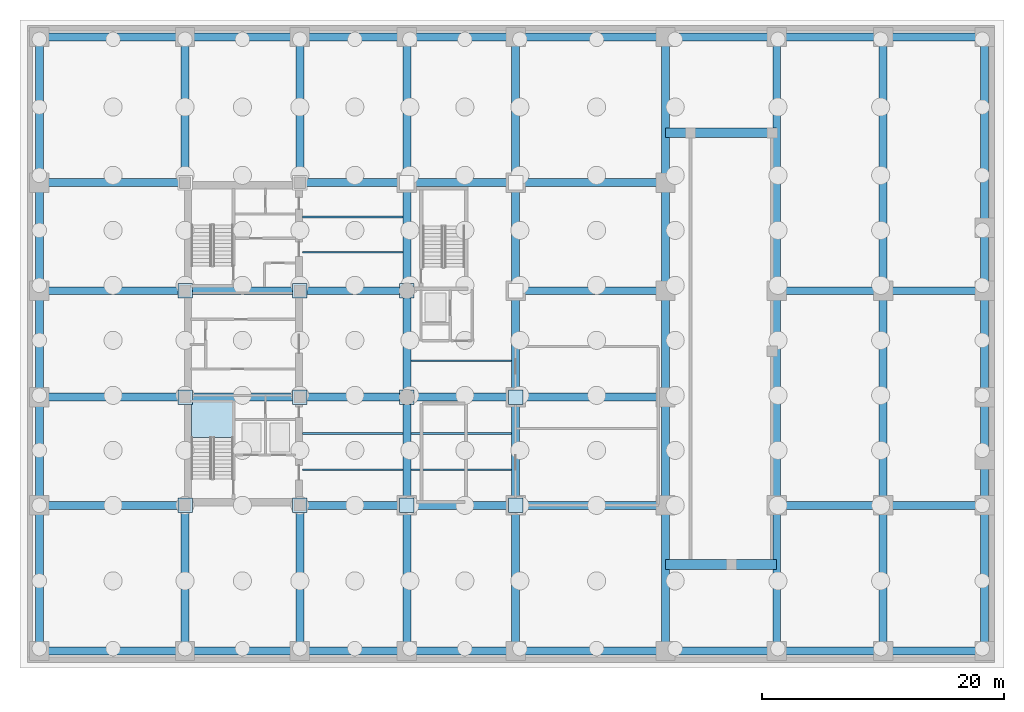
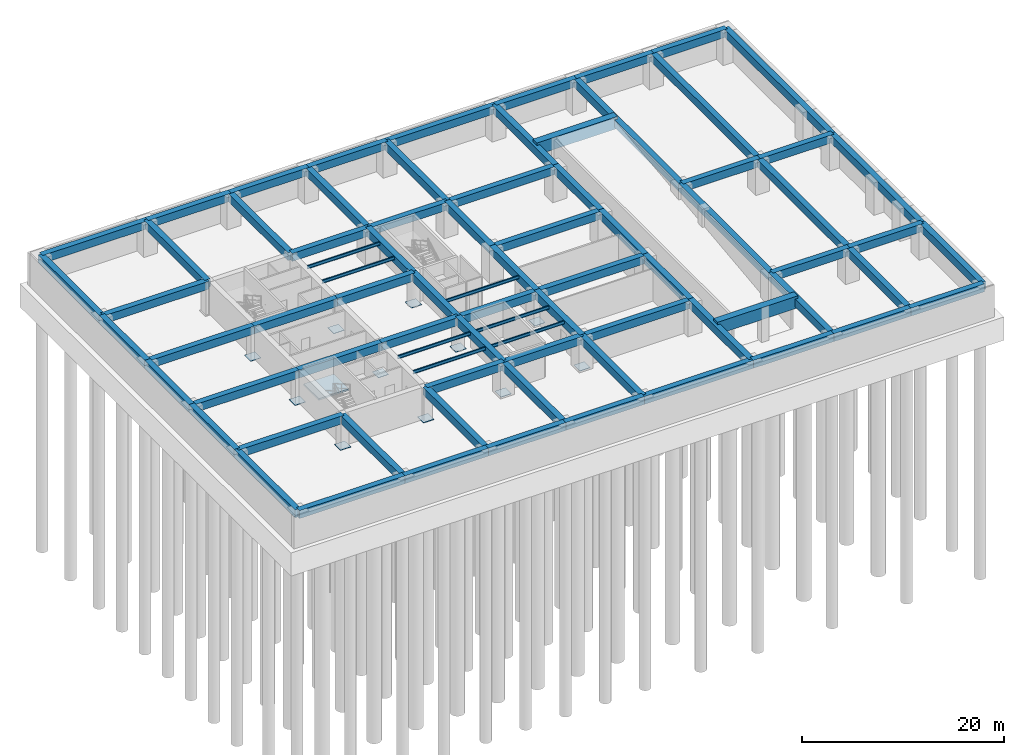
# One storey, part 2 of 9: 79 beams, 11 plates, 1 slab, 1 element without a shape of its own.
"""IFC4 building model written with IfcOpenShell, lengths in metres."""

from ifc_helpers import new_model, si_unit, direction, frame, origin, origin_2d, place, context, subcontext, project, spatial, polyline, rectangle, i_section, outline, extrude, material, layer, layer_set, material_profile, profile_set, type_object, element, aggregate, save


model = new_model("IFC4")

# Units and contexts
model_context = context("Model", 3, precision=1e-05, world=origin(), true_north=direction((0.0, 1.0)))
body_context = subcontext(model_context, "Body", "Model", "MODEL_VIEW")
ifc_project = project(units=[si_unit("LENGTHUNIT", "METRE"), si_unit("AREAUNIT", "SQUARE_METRE"), si_unit("VOLUMEUNIT", "CUBIC_METRE"), si_unit("PLANEANGLEUNIT", "RADIAN"), si_unit("MASSUNIT", "GRAM", prefix="KILO")], contexts=[model_context])

# Site, building, storey
site_placement = place(None, origin())
site = spatial("IfcSite", under=ifc_project, at=site_placement, CompositionType="ELEMENT")
building_placement = place(site_placement, origin())
building = spatial("IfcBuilding", under=site, at=building_placement, Name="Kundavana Baori Tower", CompositionType="ELEMENT")
storey_placement = place(building_placement, frame((0.0, 0.0, -8.39990234375)))
storey = spatial("IfcBuildingStorey", under=building, at=storey_placement, Name="B02", CompositionType="ELEMENT", Elevation=-8.39990234375)

# Beams
ifc_material_1 = material(Name="Structural Steel S355JR", Category="steel")
ifc_material_profile_1 = material_profile(ifc_material_1, i_section(OverallWidth=0.139892578125, OverallDepth=0.39990234375, WebThickness=0.0087890625, FlangeThickness=0.01611328125, FilletRadius=0.013916015625, at=origin_2d()), Name="ISMB 400")
ifc_profile_set_1 = profile_set([ifc_material_profile_1], Name="Structural Steel S355JR")
beam_type_1 = type_object("IfcBeamType", Name="BM-JST-400", PredefinedType="JOIST", material=ifc_profile_set_1)
for number, where, z_axis, x_axis, name in (
    (1, (25.179931640625, 18.199951171875, 3.699951171875), (1.0, 0.0, 0.0), (0.0, 1.0, 0.0), "B02 Central Bay Composite Floor Joist C1"),
    (2, (25.179931640625, 21.199951171875, 3.699951171875), (1.0, 0.0, 0.0), (0.0, 1.0, 0.0), "B02 Central Bay Composite Floor Joist C2"),
    (3, (25.179931640625, 36.199951171875, 3.699951171875), (1.0, 0.0, 0.0), (0.0, 1.0, 0.0), "B02 Central Bay Composite Floor Joist C3"),
    (4, (25.179931640625, 39.10009765625, 3.699951171875), (1.0, 0.0, 0.0), (0.0, 1.0, 0.0), "B02 Central Bay Composite Floor Joist C4"),
):
    element("IfcBeam", number, at=place(storey_placement, frame(where, z_axis=z_axis, x_axis=x_axis)), inside=storey, type_object=beam_type_1, Name=name, PredefinedType="JOIST", context=body_context, shape_type="SweptSolid", body=[
        extrude(i_section(OverallWidth=0.139892578125, OverallDepth=0.39990234375, WebThickness=0.0087890625, FlangeThickness=0.01611328125, FilletRadius=0.013916015625, at=origin_2d()), origin(), (0.0, 0.0, 1.0), 8.295166015625),
    ])
for number, where, z_axis, x_axis, name in (
    (5, (34.125, 18.199951171875, 3.699951171875), (1.0, 0.0, 0.0), (0.0, 1.0, 0.0), "B02 East Bay Composite Floor Joist E1"),
    (6, (34.125, 21.199951171875, 3.699951171875), (1.0, 0.0, 0.0), (0.0, 1.0, 0.0), "B02 East Bay Composite Floor Joist E2"),
    (7, (34.125, 27.199951171875, 3.699951171875), (1.0, 0.0, 0.0), (0.0, 1.0, 0.0), "B02 East Bay Composite Floor Joist E3"),
):
    element("IfcBeam", number, at=place(storey_placement, frame(where, z_axis=z_axis, x_axis=x_axis)), inside=storey, type_object=beam_type_1, Name=name, PredefinedType="JOIST", context=body_context, shape_type="SweptSolid", body=[
        extrude(i_section(OverallWidth=0.139892578125, OverallDepth=0.39990234375, WebThickness=0.0087890625, FlangeThickness=0.01611328125, FilletRadius=0.013916015625, at=origin_2d()), origin(), (0.0, 0.0, 1.0), 8.35009765625),
    ])
ifc_material_2 = material(Name="Concrete C50/60", Category="concrete")
ifc_material_profile_2 = material_profile(ifc_material_2, rectangle(XDim=0.64990234375, YDim=0.949951171875, at=origin_2d()), Name="RC BM 650x950")
ifc_profile_set_2 = profile_set([ifc_material_profile_2], Name="Concrete C50/60")
beam_type_2 = type_object("IfcBeamType", Name="BM-RC-950", PredefinedType="BEAM", material=ifc_profile_set_2)
beam_1_placement = place(storey_placement, frame((24.949951171875, 15.25, 3.4248046875), z_axis=(1.0, 0.0, 0.0), x_axis=(0.0, 1.0, 0.0)))
element("IfcBeam", 8, at=beam_1_placement, inside=storey, type_object=beam_type_2, Name="B02 Primary Grid Girder GX-1-2", PredefinedType="BEAM", context=body_context, shape_type="SweptSolid", body=[
    extrude(rectangle(XDim=0.64990234375, YDim=0.949951171875, at=origin_2d()), origin(), (0.0, 0.0, 1.0), 8.85009765625),
])
beam_2_placement = place(storey_placement, frame((33.800048828125, 15.25, 3.4248046875), z_axis=(1.0, 0.0, 0.0), x_axis=(0.0, 1.0, 0.0)))
element("IfcBeam", 9, at=beam_2_placement, inside=storey, type_object=beam_type_2, Name="B02 Primary Grid Girder GX-1-3", PredefinedType="BEAM", context=body_context, shape_type="SweptSolid", body=[
    extrude(rectangle(XDim=0.64990234375, YDim=0.949951171875, at=origin_2d()), origin(), (0.0, 0.0, 1.0), 9.0),
])
beam_3_placement = place(storey_placement, frame((15.449951171875, 24.199951171875, 3.4248046875), z_axis=(1.0, 0.0, 0.0), x_axis=(0.0, 1.0, 0.0)))
element("IfcBeam", 10, at=beam_3_placement, inside=storey, type_object=beam_type_2, Name="B02 Primary Grid Girder GX-2-1", PredefinedType="BEAM", context=body_context, shape_type="SweptSolid", body=[
    extrude(rectangle(XDim=0.64990234375, YDim=0.949951171875, at=origin_2d()), origin(), (0.0, 0.0, 1.0), 9.5),
])
beam_4_placement = place(storey_placement, frame((24.949951171875, 24.199951171875, 3.4248046875), z_axis=(1.0, 0.0, 0.0), x_axis=(0.0, 1.0, 0.0)))
element("IfcBeam", 11, at=beam_4_placement, inside=storey, type_object=beam_type_2, Name="B02 Primary Grid Girder GX-2-2", PredefinedType="BEAM", context=body_context, shape_type="SweptSolid", body=[
    extrude(rectangle(XDim=0.64990234375, YDim=0.949951171875, at=origin_2d()), origin(), (0.0, 0.0, 1.0), 8.85009765625),
])
beam_5_placement = place(storey_placement, frame((33.800048828125, 24.199951171875, 3.4248046875), z_axis=(1.0, 0.0, 0.0), x_axis=(0.0, 1.0, 0.0)))
element("IfcBeam", 12, at=beam_5_placement, inside=storey, type_object=beam_type_2, Name="B02 Primary Grid Girder GX-2-3", PredefinedType="BEAM", context=body_context, shape_type="SweptSolid", body=[
    extrude(rectangle(XDim=0.64990234375, YDim=0.949951171875, at=origin_2d()), origin(), (0.0, 0.0, 1.0), 9.0),
])
beam_6_placement = place(storey_placement, frame((15.449951171875, 33.0, 3.4248046875), z_axis=(1.0, 0.0, 0.0), x_axis=(0.0, 1.0, 0.0)))
element("IfcBeam", 13, at=beam_6_placement, inside=storey, type_object=beam_type_2, Name="B02 Primary Grid Girder GX-3-1", PredefinedType="BEAM", context=body_context, shape_type="SweptSolid", body=[
    extrude(rectangle(XDim=0.64990234375, YDim=0.949951171875, at=origin_2d()), origin(), (0.0, 0.0, 1.0), 9.5),
])
for number, where, z_axis, x_axis, name in (
    (14, (24.949951171875, 33.0, 3.4248046875), (1.0, 0.0, 0.0), (0.0, 1.0, 0.0), "B02 Primary Grid Girder GX-3-2"),
    (15, (24.949951171875, 41.949951171875, 3.4248046875), (1.0, 0.0, 0.0), (0.0, 1.0, 0.0), "B02 Primary Grid Girder GX-4-2"),
):
    element("IfcBeam", number, at=place(storey_placement, frame(where, z_axis=z_axis, x_axis=x_axis)), inside=storey, type_object=beam_type_2, Name=name, PredefinedType="BEAM", context=body_context, shape_type="SweptSolid", body=[
        extrude(rectangle(XDim=0.64990234375, YDim=0.949951171875, at=origin_2d()), origin(), (0.0, 0.0, 1.0), 8.85009765625),
    ])
beam_7_placement = place(storey_placement, frame((33.800048828125, 41.949951171875, 3.4248046875), z_axis=(1.0, 0.0, 0.0), x_axis=(0.0, 1.0, 0.0)))
element("IfcBeam", 16, at=beam_7_placement, inside=storey, type_object=beam_type_2, Name="B02 Primary Grid Girder GX-4-3", PredefinedType="BEAM", context=body_context, shape_type="SweptSolid", body=[
    extrude(rectangle(XDim=0.64990234375, YDim=0.949951171875, at=origin_2d()), origin(), (0.0, 0.0, 1.0), 9.0),
])
beam_8_placement = place(storey_placement, frame((33.800048828125, 15.25, 3.4248046875), z_axis=(0.0, 1.0, 0.0), x_axis=(-1.0, 0.0, 0.0)))
element("IfcBeam", 17, at=beam_8_placement, inside=storey, type_object=beam_type_2, Name="B02 Primary Grid Girder GY-3-1", PredefinedType="BEAM", context=body_context, shape_type="SweptSolid", body=[
    extrude(rectangle(XDim=0.64990234375, YDim=0.949951171875, at=origin_2d()), origin(), (0.0, 0.0, 1.0), 8.949951171875),
])
beam_9_placement = place(storey_placement, frame((33.800048828125, 24.199951171875, 3.4248046875), z_axis=(0.0, 1.0, 0.0), x_axis=(-1.0, 0.0, 0.0)))
element("IfcBeam", 18, at=beam_9_placement, inside=storey, type_object=beam_type_2, Name="B02 Primary Grid Girder GY-3-2", PredefinedType="BEAM", context=body_context, shape_type="SweptSolid", body=[
    extrude(rectangle(XDim=0.64990234375, YDim=0.949951171875, at=origin_2d()), origin(), (0.0, 0.0, 1.0), 8.800048828125),
])
for number, where, z_axis, x_axis, name in (
    (19, (33.800048828125, 33.0, 3.4248046875), (0.0, 1.0, 0.0), (-1.0, 0.0, 0.0), "B02 Primary Grid Girder GY-3-3"),
    (20, (42.800048828125, 15.25, 3.4248046875), (0.0, 1.0, 0.0), (-1.0, 0.0, 0.0), "B02 Primary Grid Girder GY-4-1"),
):
    element("IfcBeam", number, at=place(storey_placement, frame(where, z_axis=z_axis, x_axis=x_axis)), inside=storey, type_object=beam_type_2, Name=name, PredefinedType="BEAM", context=body_context, shape_type="SweptSolid", body=[
        extrude(rectangle(XDim=0.64990234375, YDim=0.949951171875, at=origin_2d()), origin(), (0.0, 0.0, 1.0), 8.949951171875),
    ])
beam_10_placement = place(storey_placement, frame((42.800048828125, 24.199951171875, 3.4248046875), z_axis=(0.0, 1.0, 0.0), x_axis=(-1.0, 0.0, 0.0)))
element("IfcBeam", 21, at=beam_10_placement, inside=storey, type_object=beam_type_2, Name="B02 Primary Grid Girder GY-4-2", PredefinedType="BEAM", context=body_context, shape_type="SweptSolid", body=[
    extrude(rectangle(XDim=0.64990234375, YDim=0.949951171875, at=origin_2d()), origin(), (0.0, 0.0, 1.0), 8.800048828125),
])
beam_11_placement = place(storey_placement, frame((42.800048828125, 33.0, 3.4248046875), z_axis=(0.0, 1.0, 0.0), x_axis=(-1.0, 0.0, 0.0)))
element("IfcBeam", 22, at=beam_11_placement, inside=storey, type_object=beam_type_2, Name="B02 Primary Grid Girder GY-4-3", PredefinedType="BEAM", context=body_context, shape_type="SweptSolid", body=[
    extrude(rectangle(XDim=0.64990234375, YDim=0.949951171875, at=origin_2d()), origin(), (0.0, 0.0, 1.0), 8.949951171875),
])
for number, where, z_axis, x_axis, name in (
    (23, (55.199951171875, 3.199951171875, 3.4248046875), (1.0, 0.0, 0.0), (0.0, 1.0, 0.0), "B02 East Basement Wing Girder 1-1"),
    (24, (55.199951171875, 54.0, 3.4248046875), (1.0, 0.0, 0.0), (0.0, 1.0, 0.0), "B02 East Basement Wing Girder 1-4"),
):
    element("IfcBeam", number, at=place(storey_placement, frame(where, z_axis=z_axis, x_axis=x_axis)), inside=storey, type_object=beam_type_2, Name=name, PredefinedType="BEAM", context=body_context, shape_type="SweptSolid", body=[
        extrude(rectangle(XDim=0.64990234375, YDim=0.949951171875, at=origin_2d()), origin(), (0.0, 0.0, 1.0), 9.199951171875),
    ])
for number, where, z_axis, x_axis, name in (
    (25, (64.39990234375, 3.199951171875, 3.4248046875), (1.0, 0.0, 0.0), (0.0, 1.0, 0.0), "B02 East Basement Wing Girder 2-1"),
    (26, (64.39990234375, 15.25, 3.4248046875), (1.0, 0.0, 0.0), (0.0, 1.0, 0.0), "B02 East Basement Wing Girder 2-2"),
    (27, (64.39990234375, 33.0, 3.4248046875), (1.0, 0.0, 0.0), (0.0, 1.0, 0.0), "B02 East Basement Wing Girder 2-3"),
    (28, (64.39990234375, 54.0, 3.4248046875), (1.0, 0.0, 0.0), (0.0, 1.0, 0.0), "B02 East Basement Wing Girder 2-4"),
):
    element("IfcBeam", number, at=place(storey_placement, frame(where, z_axis=z_axis, x_axis=x_axis)), inside=storey, type_object=beam_type_2, Name=name, PredefinedType="BEAM", context=body_context, shape_type="SweptSolid", body=[
        extrude(rectangle(XDim=0.64990234375, YDim=0.949951171875, at=origin_2d()), origin(), (0.0, 0.0, 1.0), 8.800048828125),
    ])
for number, where, z_axis, x_axis, name in (
    (29, (73.199951171875, 3.199951171875, 3.4248046875), (1.0, 0.0, 0.0), (0.0, 1.0, 0.0), "B02 East Basement Wing Girder 3-1"),
    (30, (73.199951171875, 15.25, 3.4248046875), (1.0, 0.0, 0.0), (0.0, 1.0, 0.0), "B02 East Basement Wing Girder 3-2"),
    (31, (73.199951171875, 33.0, 3.4248046875), (1.0, 0.0, 0.0), (0.0, 1.0, 0.0), "B02 East Basement Wing Girder 3-3"),
    (32, (73.199951171875, 54.0, 3.4248046875), (1.0, 0.0, 0.0), (0.0, 1.0, 0.0), "B02 East Basement Wing Girder 3-4"),
):
    element("IfcBeam", number, at=place(storey_placement, frame(where, z_axis=z_axis, x_axis=x_axis)), inside=storey, type_object=beam_type_2, Name=name, PredefinedType="BEAM", context=body_context, shape_type="SweptSolid", body=[
        extrude(rectangle(XDim=0.64990234375, YDim=0.949951171875, at=origin_2d()), origin(), (0.0, 0.0, 1.0), 8.400146484375),
    ])
beam_12_placement = place(storey_placement, frame((64.39990234375, 3.199951171875, 3.4248046875), z_axis=(0.0, 1.0, 0.0), x_axis=(-1.0, 0.0, 0.0)))
element("IfcBeam", 33, at=beam_12_placement, inside=storey, type_object=beam_type_2, Name="B02 East Wing Transverse Girder 1-1", PredefinedType="BEAM", context=body_context, shape_type="SweptSolid", body=[
    extrude(rectangle(XDim=0.64990234375, YDim=0.949951171875, at=origin_2d()), origin(), (0.0, 0.0, 1.0), 12.050048828125),
])
beam_13_placement = place(storey_placement, frame((64.39990234375, 15.25, 3.4248046875), z_axis=(0.0, 1.0, 0.0), x_axis=(-1.0, 0.0, 0.0)))
element("IfcBeam", 34, at=beam_13_placement, inside=storey, type_object=beam_type_2, Name="B02 East Wing Transverse Girder 1-2", PredefinedType="BEAM", context=body_context, shape_type="SweptSolid", body=[
    extrude(rectangle(XDim=0.64990234375, YDim=0.949951171875, at=origin_2d()), origin(), (0.0, 0.0, 1.0), 17.75),
])
beam_14_placement = place(storey_placement, frame((64.39990234375, 33.0, 3.4248046875), z_axis=(0.0, 1.0, 0.0), x_axis=(-1.0, 0.0, 0.0)))
element("IfcBeam", 35, at=beam_14_placement, inside=storey, type_object=beam_type_2, Name="B02 East Wing Transverse Girder 1-3", PredefinedType="BEAM", context=body_context, shape_type="SweptSolid", body=[
    extrude(rectangle(XDim=0.64990234375, YDim=0.949951171875, at=origin_2d()), origin(), (0.0, 0.0, 1.0), 21.0),
])
beam_15_placement = place(storey_placement, frame((73.199951171875, 3.199951171875, 3.4248046875), z_axis=(0.0, 1.0, 0.0), x_axis=(-1.0, 0.0, 0.0)))
element("IfcBeam", 36, at=beam_15_placement, inside=storey, type_object=beam_type_2, Name="B02 East Wing Transverse Girder 2-1", PredefinedType="BEAM", context=body_context, shape_type="SweptSolid", body=[
    extrude(rectangle(XDim=0.64990234375, YDim=0.949951171875, at=origin_2d()), origin(), (0.0, 0.0, 1.0), 12.050048828125),
])
beam_16_placement = place(storey_placement, frame((73.199951171875, 15.25, 3.4248046875), z_axis=(0.0, 1.0, 0.0), x_axis=(-1.0, 0.0, 0.0)))
element("IfcBeam", 37, at=beam_16_placement, inside=storey, type_object=beam_type_2, Name="B02 East Wing Transverse Girder 2-2", PredefinedType="BEAM", context=body_context, shape_type="SweptSolid", body=[
    extrude(rectangle(XDim=0.64990234375, YDim=0.949951171875, at=origin_2d()), origin(), (0.0, 0.0, 1.0), 17.75),
])
beam_17_placement = place(storey_placement, frame((73.199951171875, 33.0, 3.4248046875), z_axis=(0.0, 1.0, 0.0), x_axis=(-1.0, 0.0, 0.0)))
element("IfcBeam", 38, at=beam_17_placement, inside=storey, type_object=beam_type_2, Name="B02 East Wing Transverse Girder 2-3", PredefinedType="BEAM", context=body_context, shape_type="SweptSolid", body=[
    extrude(rectangle(XDim=0.64990234375, YDim=0.949951171875, at=origin_2d()), origin(), (0.0, 0.0, 1.0), 21.0),
])
beam_18_placement = place(storey_placement, frame((81.60009765625, 3.199951171875, 3.4248046875), z_axis=(0.0, 1.0, 0.0), x_axis=(-1.0, 0.0, 0.0)))
element("IfcBeam", 39, at=beam_18_placement, inside=storey, type_object=beam_type_2, Name="B02 East Wing Transverse Girder 3-1", PredefinedType="BEAM", context=body_context, shape_type="SweptSolid", body=[
    extrude(rectangle(XDim=0.64990234375, YDim=0.949951171875, at=origin_2d()), origin(), (0.0, 0.0, 1.0), 12.050048828125),
])
beam_19_placement = place(storey_placement, frame((81.60009765625, 15.25, 3.4248046875), z_axis=(0.0, 1.0, 0.0), x_axis=(-1.0, 0.0, 0.0)))
element("IfcBeam", 40, at=beam_19_placement, inside=storey, type_object=beam_type_2, Name="B02 East Wing Transverse Girder 3-2", PredefinedType="BEAM", context=body_context, shape_type="SweptSolid", body=[
    extrude(rectangle(XDim=0.64990234375, YDim=0.949951171875, at=origin_2d()), origin(), (0.0, 0.0, 1.0), 17.75),
])
beam_20_placement = place(storey_placement, frame((81.60009765625, 33.0, 3.4248046875), z_axis=(0.0, 1.0, 0.0), x_axis=(-1.0, 0.0, 0.0)))
element("IfcBeam", 41, at=beam_20_placement, inside=storey, type_object=beam_type_2, Name="B02 East Wing Transverse Girder 3-3", PredefinedType="BEAM", context=body_context, shape_type="SweptSolid", body=[
    extrude(rectangle(XDim=0.64990234375, YDim=0.949951171875, at=origin_2d()), origin(), (0.0, 0.0, 1.0), 21.0),
])
beam_21_placement = place(storey_placement, frame((3.39990234375, 3.199951171875, 3.4248046875), z_axis=(1.0, 0.0, 0.0), x_axis=(0.0, 1.0, 0.0)))
element("IfcBeam", 42, at=beam_21_placement, inside=storey, type_object=beam_type_2, Name="B02 Perimeter Frame Ring Beam S1", PredefinedType="BEAM", context=body_context, shape_type="SweptSolid", body=[
    extrude(rectangle(XDim=0.64990234375, YDim=0.949951171875, at=origin_2d()), origin(), (0.0, 0.0, 1.0), 12.050048828125),
])
beam_22_placement = place(storey_placement, frame((15.449951171875, 3.199951171875, 3.4248046875), z_axis=(1.0, 0.0, 0.0), x_axis=(0.0, 1.0, 0.0)))
element("IfcBeam", 43, at=beam_22_placement, inside=storey, type_object=beam_type_2, Name="B02 Perimeter Frame Ring Beam S2", PredefinedType="BEAM", context=body_context, shape_type="SweptSolid", body=[
    extrude(rectangle(XDim=0.64990234375, YDim=0.949951171875, at=origin_2d()), origin(), (0.0, 0.0, 1.0), 9.5),
])
beam_23_placement = place(storey_placement, frame((24.949951171875, 3.199951171875, 3.4248046875), z_axis=(1.0, 0.0, 0.0), x_axis=(0.0, 1.0, 0.0)))
element("IfcBeam", 44, at=beam_23_placement, inside=storey, type_object=beam_type_2, Name="B02 Perimeter Frame Ring Beam S3", PredefinedType="BEAM", context=body_context, shape_type="SweptSolid", body=[
    extrude(rectangle(XDim=0.64990234375, YDim=0.949951171875, at=origin_2d()), origin(), (0.0, 0.0, 1.0), 8.85009765625),
])
beam_24_placement = place(storey_placement, frame((33.800048828125, 3.199951171875, 3.4248046875), z_axis=(1.0, 0.0, 0.0), x_axis=(0.0, 1.0, 0.0)))
element("IfcBeam", 45, at=beam_24_placement, inside=storey, type_object=beam_type_2, Name="B02 Perimeter Frame Ring Beam S4", PredefinedType="BEAM", context=body_context, shape_type="SweptSolid", body=[
    extrude(rectangle(XDim=0.64990234375, YDim=0.949951171875, at=origin_2d()), origin(), (0.0, 0.0, 1.0), 9.0),
])
beam_25_placement = place(storey_placement, frame((42.800048828125, 3.199951171875, 3.4248046875), z_axis=(1.0, 0.0, 0.0), x_axis=(0.0, 1.0, 0.0)))
element("IfcBeam", 46, at=beam_25_placement, inside=storey, type_object=beam_type_2, Name="B02 Perimeter Frame Ring Beam S5", PredefinedType="BEAM", context=body_context, shape_type="SweptSolid", body=[
    extrude(rectangle(XDim=0.64990234375, YDim=0.949951171875, at=origin_2d()), origin(), (0.0, 0.0, 1.0), 12.39990234375),
])
beam_26_placement = place(storey_placement, frame((3.39990234375, 54.0, 3.4248046875), z_axis=(1.0, 0.0, 0.0), x_axis=(0.0, 1.0, 0.0)))
element("IfcBeam", 47, at=beam_26_placement, inside=storey, type_object=beam_type_2, Name="B02 Perimeter Frame Ring Beam N1", PredefinedType="BEAM", context=body_context, shape_type="SweptSolid", body=[
    extrude(rectangle(XDim=0.64990234375, YDim=0.949951171875, at=origin_2d()), origin(), (0.0, 0.0, 1.0), 12.050048828125),
])
beam_27_placement = place(storey_placement, frame((15.449951171875, 54.0, 3.4248046875), z_axis=(1.0, 0.0, 0.0), x_axis=(0.0, 1.0, 0.0)))
element("IfcBeam", 48, at=beam_27_placement, inside=storey, type_object=beam_type_2, Name="B02 Perimeter Frame Ring Beam N2", PredefinedType="BEAM", context=body_context, shape_type="SweptSolid", body=[
    extrude(rectangle(XDim=0.64990234375, YDim=0.949951171875, at=origin_2d()), origin(), (0.0, 0.0, 1.0), 9.5),
])
beam_28_placement = place(storey_placement, frame((24.949951171875, 54.0, 3.4248046875), z_axis=(1.0, 0.0, 0.0), x_axis=(0.0, 1.0, 0.0)))
element("IfcBeam", 49, at=beam_28_placement, inside=storey, type_object=beam_type_2, Name="B02 Perimeter Frame Ring Beam N3", PredefinedType="BEAM", context=body_context, shape_type="SweptSolid", body=[
    extrude(rectangle(XDim=0.64990234375, YDim=0.949951171875, at=origin_2d()), origin(), (0.0, 0.0, 1.0), 8.85009765625),
])
beam_29_placement = place(storey_placement, frame((33.800048828125, 54.0, 3.4248046875), z_axis=(1.0, 0.0, 0.0), x_axis=(0.0, 1.0, 0.0)))
element("IfcBeam", 50, at=beam_29_placement, inside=storey, type_object=beam_type_2, Name="B02 Perimeter Frame Ring Beam N4", PredefinedType="BEAM", context=body_context, shape_type="SweptSolid", body=[
    extrude(rectangle(XDim=0.64990234375, YDim=0.949951171875, at=origin_2d()), origin(), (0.0, 0.0, 1.0), 9.0),
])
beam_30_placement = place(storey_placement, frame((42.800048828125, 54.0, 3.4248046875), z_axis=(1.0, 0.0, 0.0), x_axis=(0.0, 1.0, 0.0)))
element("IfcBeam", 51, at=beam_30_placement, inside=storey, type_object=beam_type_2, Name="B02 Perimeter Frame Ring Beam N5", PredefinedType="BEAM", context=body_context, shape_type="SweptSolid", body=[
    extrude(rectangle(XDim=0.64990234375, YDim=0.949951171875, at=origin_2d()), origin(), (0.0, 0.0, 1.0), 12.39990234375),
])
beam_31_placement = place(storey_placement, frame((3.39990234375, 15.25, 3.4248046875), z_axis=(0.0, 1.0, 0.0), x_axis=(-1.0, 0.0, 0.0)))
element("IfcBeam", 52, at=beam_31_placement, inside=storey, type_object=beam_type_2, Name="B02 Perimeter Frame Ring Beam W1", PredefinedType="BEAM", context=body_context, shape_type="SweptSolid", body=[
    extrude(rectangle(XDim=0.64990234375, YDim=0.949951171875, at=origin_2d()), origin(), (0.0, 0.0, 1.0), 8.949951171875),
])
beam_32_placement = place(storey_placement, frame((3.39990234375, 24.199951171875, 3.4248046875), z_axis=(0.0, 1.0, 0.0), x_axis=(-1.0, 0.0, 0.0)))
element("IfcBeam", 53, at=beam_32_placement, inside=storey, type_object=beam_type_2, Name="B02 Perimeter Frame Ring Beam W2", PredefinedType="BEAM", context=body_context, shape_type="SweptSolid", body=[
    extrude(rectangle(XDim=0.64990234375, YDim=0.949951171875, at=origin_2d()), origin(), (0.0, 0.0, 1.0), 8.800048828125),
])
for number, where, z_axis, x_axis, name in (
    (54, (3.39990234375, 33.0, 3.4248046875), (0.0, 1.0, 0.0), (-1.0, 0.0, 0.0), "B02 Perimeter Frame Ring Beam W3"),
    (55, (55.199951171875, 15.25, 3.4248046875), (0.0, 1.0, 0.0), (-1.0, 0.0, 0.0), "B02 Perimeter Frame Ring Beam E1"),
):
    element("IfcBeam", number, at=place(storey_placement, frame(where, z_axis=z_axis, x_axis=x_axis)), inside=storey, type_object=beam_type_2, Name=name, PredefinedType="BEAM", context=body_context, shape_type="SweptSolid", body=[
        extrude(rectangle(XDim=0.64990234375, YDim=0.949951171875, at=origin_2d()), origin(), (0.0, 0.0, 1.0), 8.949951171875),
    ])
beam_33_placement = place(storey_placement, frame((55.199951171875, 24.199951171875, 3.4248046875), z_axis=(0.0, 1.0, 0.0), x_axis=(-1.0, 0.0, 0.0)))
element("IfcBeam", 56, at=beam_33_placement, inside=storey, type_object=beam_type_2, Name="B02 Perimeter Frame Ring Beam E2", PredefinedType="BEAM", context=body_context, shape_type="SweptSolid", body=[
    extrude(rectangle(XDim=0.64990234375, YDim=0.949951171875, at=origin_2d()), origin(), (0.0, 0.0, 1.0), 8.800048828125),
])
beam_34_placement = place(storey_placement, frame((55.199951171875, 33.0, 3.4248046875), z_axis=(0.0, 1.0, 0.0), x_axis=(-1.0, 0.0, 0.0)))
element("IfcBeam", 57, at=beam_34_placement, inside=storey, type_object=beam_type_2, Name="B02 Perimeter Frame Ring Beam E3", PredefinedType="BEAM", context=body_context, shape_type="SweptSolid", body=[
    extrude(rectangle(XDim=0.64990234375, YDim=0.949951171875, at=origin_2d()), origin(), (0.0, 0.0, 1.0), 8.949951171875),
])
for number, where, z_axis, x_axis, name in (
    (58, (3.39990234375, 3.199951171875, 3.4248046875), (0.0, 1.0, 0.0), (-1.0, 0.0, 0.0), "B02 Notched Corner Perimeter Beam SW"),
    (59, (55.199951171875, 3.199951171875, 3.4248046875), (0.0, 1.0, 0.0), (-1.0, 0.0, 0.0), "B02 Notched Corner Perimeter Beam SE"),
    (60, (3.39990234375, 54.0, 3.4248046875), (0.0, -1.0, 0.0), (1.0, 0.0, 0.0), "B02 Notched Corner Perimeter Beam NW"),
    (61, (55.199951171875, 54.0, 3.4248046875), (0.0, -1.0, 0.0), (1.0, 0.0, 0.0), "B02 Notched Corner Perimeter Beam NE"),
    (62, (15.449951171875, 15.25, 3.4248046875), (0.0, -1.0, 0.0), (1.0, 0.0, 0.0), "B02 South Radial Loggia Tie Beam S1"),
    (63, (15.449951171875, 41.949951171875, 3.4248046875), (0.0, 1.0, 0.0), (-1.0, 0.0, 0.0), "B02 North Radial Loggia Tie Beam N1"),
    (64, (24.949951171875, 15.25, 3.4248046875), (0.0, -1.0, 0.0), (1.0, 0.0, 0.0), "B02 South Radial Loggia Tie Beam S2"),
    (65, (24.949951171875, 41.949951171875, 3.4248046875), (0.0, 1.0, 0.0), (-1.0, 0.0, 0.0), "B02 North Radial Loggia Tie Beam N2"),
    (66, (33.800048828125, 15.25, 3.4248046875), (0.0, -1.0, 0.0), (1.0, 0.0, 0.0), "B02 South Radial Loggia Tie Beam S3"),
    (67, (33.800048828125, 41.949951171875, 3.4248046875), (0.0, 1.0, 0.0), (-1.0, 0.0, 0.0), "B02 North Radial Loggia Tie Beam N3"),
    (68, (42.800048828125, 15.25, 3.4248046875), (0.0, -1.0, 0.0), (1.0, 0.0, 0.0), "B02 South Radial Loggia Tie Beam S4"),
    (69, (42.800048828125, 41.949951171875, 3.4248046875), (0.0, 1.0, 0.0), (-1.0, 0.0, 0.0), "B02 North Radial Loggia Tie Beam N4"),
    (70, (15.449951171875, 15.25, 3.4248046875), (-1.0, 0.0, 0.0), (0.0, -1.0, 0.0), "B02 West Radial Loggia Tie Beam W1"),
):
    element("IfcBeam", number, at=place(storey_placement, frame(where, z_axis=z_axis, x_axis=x_axis)), inside=storey, type_object=beam_type_2, Name=name, PredefinedType="BEAM", context=body_context, shape_type="SweptSolid", body=[
        extrude(rectangle(XDim=0.64990234375, YDim=0.949951171875, at=origin_2d()), origin(), (0.0, 0.0, 1.0), 12.050048828125),
    ])
beam_35_placement = place(storey_placement, frame((42.800048828125, 15.25, 3.4248046875), z_axis=(1.0, 0.0, 0.0), x_axis=(0.0, 1.0, 0.0)))
element("IfcBeam", 71, at=beam_35_placement, inside=storey, type_object=beam_type_2, Name="B02 East Radial Loggia Tie Beam E1", PredefinedType="BEAM", context=body_context, shape_type="SweptSolid", body=[
    extrude(rectangle(XDim=0.64990234375, YDim=0.949951171875, at=origin_2d()), origin(), (0.0, 0.0, 1.0), 12.39990234375),
])
beam_36_placement = place(storey_placement, frame((15.449951171875, 24.199951171875, 3.4248046875), z_axis=(-1.0, 0.0, 0.0), x_axis=(0.0, -1.0, 0.0)))
element("IfcBeam", 72, at=beam_36_placement, inside=storey, type_object=beam_type_2, Name="B02 West Radial Loggia Tie Beam W2", PredefinedType="BEAM", context=body_context, shape_type="SweptSolid", body=[
    extrude(rectangle(XDim=0.64990234375, YDim=0.949951171875, at=origin_2d()), origin(), (0.0, 0.0, 1.0), 12.050048828125),
])
beam_37_placement = place(storey_placement, frame((42.800048828125, 24.199951171875, 3.4248046875), z_axis=(1.0, 0.0, 0.0), x_axis=(0.0, 1.0, 0.0)))
element("IfcBeam", 73, at=beam_37_placement, inside=storey, type_object=beam_type_2, Name="B02 East Radial Loggia Tie Beam E2", PredefinedType="BEAM", context=body_context, shape_type="SweptSolid", body=[
    extrude(rectangle(XDim=0.64990234375, YDim=0.949951171875, at=origin_2d()), origin(), (0.0, 0.0, 1.0), 12.39990234375),
])
beam_38_placement = place(storey_placement, frame((15.449951171875, 33.0, 3.4248046875), z_axis=(-1.0, 0.0, 0.0), x_axis=(0.0, -1.0, 0.0)))
element("IfcBeam", 74, at=beam_38_placement, inside=storey, type_object=beam_type_2, Name="B02 West Radial Loggia Tie Beam W3", PredefinedType="BEAM", context=body_context, shape_type="SweptSolid", body=[
    extrude(rectangle(XDim=0.64990234375, YDim=0.949951171875, at=origin_2d()), origin(), (0.0, 0.0, 1.0), 12.050048828125),
])
beam_39_placement = place(storey_placement, frame((42.800048828125, 33.0, 3.4248046875), z_axis=(1.0, 0.0, 0.0), x_axis=(0.0, 1.0, 0.0)))
element("IfcBeam", 75, at=beam_39_placement, inside=storey, type_object=beam_type_2, Name="B02 East Radial Loggia Tie Beam E3", PredefinedType="BEAM", context=body_context, shape_type="SweptSolid", body=[
    extrude(rectangle(XDim=0.64990234375, YDim=0.949951171875, at=origin_2d()), origin(), (0.0, 0.0, 1.0), 12.39990234375),
])
beam_40_placement = place(storey_placement, frame((15.449951171875, 41.949951171875, 3.4248046875), z_axis=(-1.0, 0.0, 0.0), x_axis=(0.0, -1.0, 0.0)))
element("IfcBeam", 76, at=beam_40_placement, inside=storey, type_object=beam_type_2, Name="B02 West Radial Loggia Tie Beam W4", PredefinedType="BEAM", context=body_context, shape_type="SweptSolid", body=[
    extrude(rectangle(XDim=0.64990234375, YDim=0.949951171875, at=origin_2d()), origin(), (0.0, 0.0, 1.0), 12.050048828125),
])
beam_41_placement = place(storey_placement, frame((42.800048828125, 41.949951171875, 3.4248046875), z_axis=(1.0, 0.0, 0.0), x_axis=(0.0, 1.0, 0.0)))
element("IfcBeam", 77, at=beam_41_placement, inside=storey, type_object=beam_type_2, Name="B02 East Radial Loggia Tie Beam E4", PredefinedType="BEAM", context=body_context, shape_type="SweptSolid", body=[
    extrude(rectangle(XDim=0.64990234375, YDim=0.949951171875, at=origin_2d()), origin(), (0.0, 0.0, 1.0), 12.39990234375),
])
ifc_material_3 = material(Name="Concrete C50/60", Category="concrete")
ifc_material_profile_3 = material_profile(ifc_material_3, rectangle(XDim=0.800048828125, YDim=1.449951171875, at=origin_2d()), Name="BM-TG-1")
ifc_profile_set_3 = profile_set([ifc_material_profile_3], Name="Concrete C50/60")
beam_type_3 = type_object("IfcBeamType", Name="BM-TG-1", PredefinedType="USERDEFINED", material=ifc_profile_set_3)
for number, where, z_axis, x_axis, name in (
    (78, (55.199951171875, 10.360107421875, 3.474853515625), (1.0, 0.0, 0.0), (0.0, 1.0, 0.0), "B02 Ramp Shaft South Transfer Girder"),
    (79, (55.199951171875, 46.06005859375, 3.474853515625), (1.0, 0.0, 0.0), (0.0, 1.0, 0.0), "B02 Ramp Shaft North Transfer Girder"),
):
    element("IfcBeam", number, at=place(storey_placement, frame(where, z_axis=z_axis, x_axis=x_axis)), inside=storey, type_object=beam_type_3, Name=name, ObjectType="TRANSFER GIRDER", PredefinedType="USERDEFINED", context=body_context, shape_type="SweptSolid", body=[
        extrude(rectangle(XDim=0.800048828125, YDim=1.449951171875, at=origin_2d()), origin(), (0.0, 0.0, 1.0), 9.199951171875),
    ])

# Plates
ifc_material_4 = material(Name="Structural Steel S355JR", Category="steel")
ifc_layer_1 = layer(ifc_material_4, 0.044921875, Name="PLT-BASE-45")
ifc_layer_set_1 = layer_set([ifc_layer_1], Name="Structural Steel S355JR")
plate_type = type_object("IfcPlateType", Name="PLT-BASE-45", PredefinedType="USERDEFINED", material=ifc_layer_set_1)
for number, where, z_axis, x_axis, name in (
    (80, (15.449951171875, 15.25, 0.0), (0.0, 0.0, 1.0), (1.0, 0.0, 0.0), "Column Base Bearing Plate IC-3C"),
    (81, (15.449951171875, 24.199951171875, 0.0), (0.0, 0.0, 1.0), (1.0, 0.0, 0.0), "Column Base Bearing Plate IC-3D"),
    (82, (15.449951171875, 33.0, 0.0), (0.0, 0.0, 1.0), (1.0, 0.0, 0.0), "Column Base Bearing Plate IC-3E"),
    (83, (24.949951171875, 15.25, 0.0), (0.0, 0.0, 1.0), (1.0, 0.0, 0.0), "Column Base Bearing Plate IC-4C"),
    (84, (24.949951171875, 24.199951171875, 0.0), (0.0, 0.0, 1.0), (1.0, 0.0, 0.0), "Column Base Bearing Plate IC-4D"),
    (85, (24.949951171875, 33.0, 0.0), (0.0, 0.0, 1.0), (1.0, 0.0, 0.0), "Column Base Bearing Plate IC-4E"),
    (86, (33.800048828125, 15.25, 0.0), (0.0, 0.0, 1.0), (1.0, 0.0, 0.0), "Column Base Bearing Plate IC-5C"),
    (87, (33.800048828125, 24.199951171875, 0.0), (0.0, 0.0, 1.0), (1.0, 0.0, 0.0), "Column Base Bearing Plate IC-5D"),
    (88, (33.800048828125, 33.0, 0.0), (0.0, 0.0, 1.0), (1.0, 0.0, 0.0), "Column Base Bearing Plate IC-5E"),
    (89, (42.800048828125, 15.25, 0.0), (0.0, 0.0, 1.0), (1.0, 0.0, 0.0), "Column Base Bearing Plate IC-6C"),
    (90, (42.800048828125, 24.199951171875, 0.0), (0.0, 0.0, 1.0), (1.0, 0.0, 0.0), "Column Base Bearing Plate IC-6D"),
):
    element("IfcPlate", number, at=place(storey_placement, frame(where, z_axis=z_axis, x_axis=x_axis)), inside=storey, type_object=plate_type, Name=name, ObjectType="BASE PLATE", PredefinedType="USERDEFINED", context=body_context, shape_type="SweptSolid", body=[
        extrude(rectangle(XDim=1.199951171875, YDim=1.199951171875, at=origin_2d()), origin(), (0.0, 0.0, 1.0), 0.044921875),
    ])

# Stair, slab
ifc_material_5 = material(Name="Concrete C40/50", Category="concrete")
stair_type = type_object("IfcStairType", Name="STR-DOG-1650", PredefinedType="HALF_TURN_STAIR", material=ifc_material_5)
stair_placement = place(storey_placement, origin())
stair = element("IfcStair", 91, at=stair_placement, inside=storey, type_object=stair_type, Name="B02 Protected Exit Stair ST1", PredefinedType="HALF_TURN_STAIR")
ifc_material_6 = material(Name="Concrete C40/50", Category="concrete")
ifc_layer_2 = layer(ifc_material_6, 0.199951171875, Name="SLB-LND-200")
ifc_layer_set_2 = layer_set([ifc_layer_2], Name="Concrete C40/50")
slab_type = type_object("IfcSlabType", Name="SLB-LND-200", PredefinedType="LANDING", material=ifc_layer_set_2)
slab_placement = place(storey_placement, frame((0.0, 0.0, 1.89990234375)))
slab = element("IfcSlab", 92, at=slab_placement, type_object=slab_type, Name="ST1 landing 1", PredefinedType="LANDING", context=body_context, shape_type="SweptSolid", body=[
    extrude(outline(polyline([(19.43994140625, 20.860107421875), (19.43994140625, 23.85009765625), (15.97998046875, 23.85009765625), (15.97998046875, 20.860107421875), (19.43994140625, 20.860107421875)])), origin(), (0.0, 0.0, 1.0), 0.199951171875),
])
aggregate(stair, [slab])

save(model, "model.ifc")
